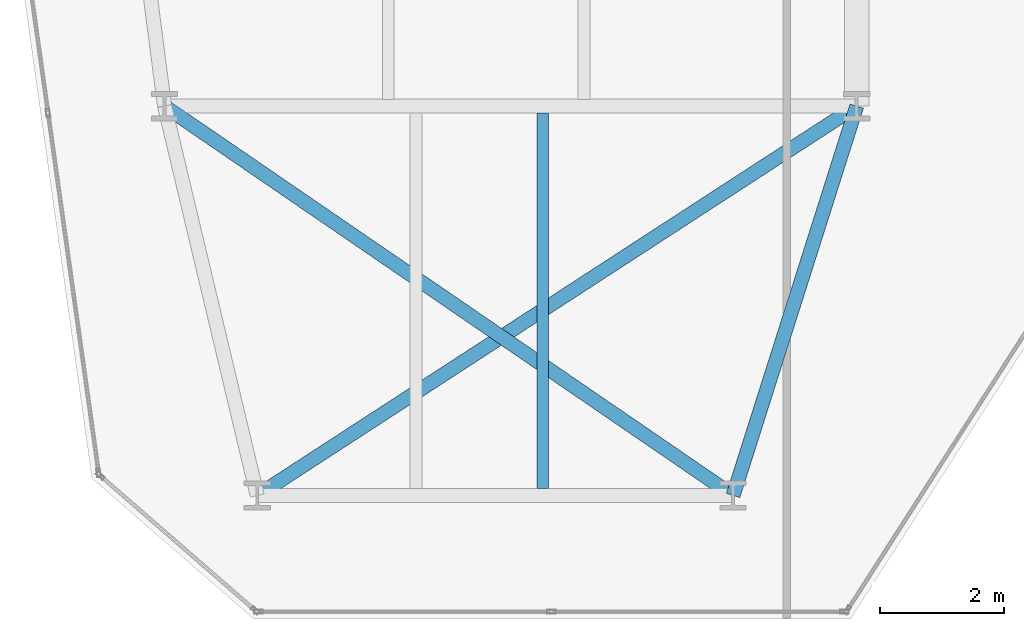
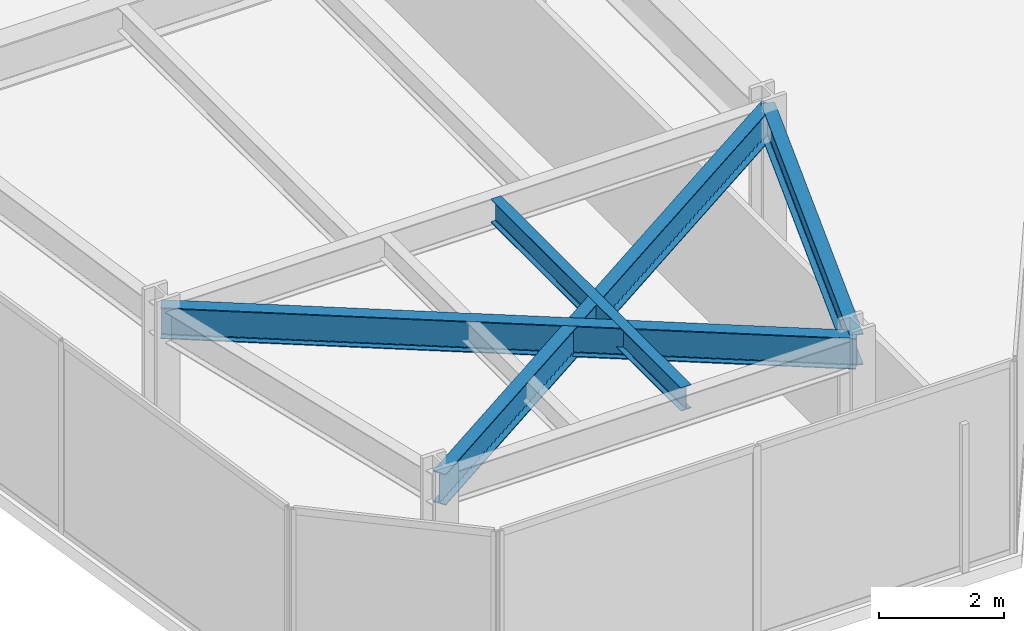
# One storey, part 4 of 26: 4 beams.
"""IFC4 building model written with IfcOpenShell, lengths in metres."""

from ifc_helpers import new_model, si_unit, direction, frame, origin, origin_2d, place, context, subcontext, project, spatial, i_section, extrude, material, material_profile, profile_set, type_object, element, save


model = new_model("IFC4")

# Units and contexts
model_context = context("Model", 3, precision=1e-05, world=origin(), true_north=direction((0.0, 1.0)))
body_context = subcontext(model_context, "Body", "Model", "MODEL_VIEW")
ifc_project = project(units=[si_unit("LENGTHUNIT", "METRE"), si_unit("AREAUNIT", "SQUARE_METRE"), si_unit("VOLUMEUNIT", "CUBIC_METRE"), si_unit("PLANEANGLEUNIT", "RADIAN"), si_unit("MASSUNIT", "GRAM", prefix="KILO")], contexts=[model_context])

# Site, building, storey
site_placement = place(None, origin())
site = spatial("IfcSite", under=ifc_project, at=site_placement, CompositionType="ELEMENT")
building_placement = place(site_placement, origin())
building = spatial("IfcBuilding", under=site, at=building_placement, Name="Kravanh Interchange Tower", CompositionType="ELEMENT")
storey_placement = place(building_placement, frame((0.0, 0.0, 124.0)))
storey = spatial("IfcBuildingStorey", under=building, at=storey_placement, Name="L29", CompositionType="ELEMENT", Elevation=124.0)

# Beams
ifc_material_1 = material(Name="Structural Steel S355", Category="steel")
ifc_material_profile_1 = material_profile(ifc_material_1, i_section(OverallWidth=0.18994140625, OverallDepth=0.45703125, WebThickness=0.009033203125, FlangeThickness=0.014404296875, FilletRadius=0.01806640625, at=origin_2d()), Name="W18X50")
ifc_profile_set_1 = profile_set([ifc_material_profile_1], Name="Structural Steel S355")
beam_type_1 = type_object("IfcBeamType", Name="Floor Joist W18X50 Structural Steel S355", PredefinedType="JOIST", material=ifc_profile_set_1)
beam_1_placement = place(storey_placement, frame((22.117919921875, 8.30908203125, 3.521484375), z_axis=(0.0, 1.0, 0.0), x_axis=(-1.0, 0.0, 0.0)))
element("IfcBeam", 1, at=beam_1_placement, inside=storey, type_object=beam_type_1, Name="L29 Secondary Floor Joist 2", PredefinedType="JOIST", context=body_context, shape_type="SweptSolid", body=[
    extrude(i_section(OverallWidth=0.18994140625, OverallDepth=0.45703125, WebThickness=0.009033203125, FlangeThickness=0.014404296875, FilletRadius=0.01806640625, at=origin_2d()), origin(), (0.0, 0.0, 1.0), 6.08203125),
])
ifc_material_2 = material(Name="Structural Steel S355", Category="steel")
ifc_material_profile_2 = material_profile(ifc_material_2, i_section(OverallWidth=0.22802734375, OverallDepth=0.60791015625, WebThickness=0.01123046875, FlangeThickness=0.017333984375, FilletRadius=0.02197265625, at=origin_2d()), Name="W24X76")
ifc_profile_set_2 = profile_set([ifc_material_profile_2], Name="Structural Steel S355")
beam_type_2 = type_object("IfcBeamType", Name="Floor Spandrel W24X76 Structural Steel S355", PredefinedType="SPANDREL", material=ifc_profile_set_2)
beam_2_placement = place(storey_placement, frame((17.5, 8.199951171875, 3.446044921875), z_axis=(0.838637911458, 0.544689318295, 0.0), x_axis=(-0.544689318295, 0.838637911458, 0.0)))
element("IfcBeam", 2, at=beam_2_placement, inside=storey, type_object=beam_type_2, Name="L29 Perimeter Spandrel 36", PredefinedType="SPANDREL", context=body_context, shape_type="SweptSolid", body=[
    extrude(i_section(OverallWidth=0.22802734375, OverallDepth=0.60791015625, WebThickness=0.01123046875, FlangeThickness=0.017333984375, FilletRadius=0.02197265625, at=origin_2d()), origin(), (0.0, 0.0, 1.0), 11.56640625),
])
beam_3_placement = place(storey_placement, frame((25.199951171875, 8.199951171875, 3.446044921875), z_axis=(0.30257700201, 0.953124943465, 0.0), x_axis=(-0.953124943465, 0.30257700201, 0.0)))
element("IfcBeam", 3, at=beam_3_placement, inside=storey, type_object=beam_type_2, Name="L29 Perimeter Spandrel 76", PredefinedType="SPANDREL", context=body_context, shape_type="SweptSolid", body=[
    extrude(i_section(OverallWidth=0.22802734375, OverallDepth=0.60791015625, WebThickness=0.01123046875, FlangeThickness=0.017333984375, FilletRadius=0.02197265625, at=origin_2d()), origin(), (0.0, 0.0, 1.0), 6.60986328125),
])
beam_4_placement = place(storey_placement, frame((25.199951171875, 8.199951171875, 3.446044921875), z_axis=(-0.825083781107, 0.565010401811, 0.0), x_axis=(-0.565010401811, -0.825083781107, 0.0)))
element("IfcBeam", 4, at=beam_4_placement, inside=storey, type_object=beam_type_2, Name="L29 Perimeter Spandrel 77", PredefinedType="SPANDREL", context=body_context, shape_type="SweptSolid", body=[
    extrude(i_section(OverallWidth=0.22802734375, OverallDepth=0.60791015625, WebThickness=0.01123046875, FlangeThickness=0.017333984375, FilletRadius=0.02197265625, at=origin_2d()), origin(), (0.0, 0.0, 1.0), 11.150390625),
])

save(model, "model.ifc")
